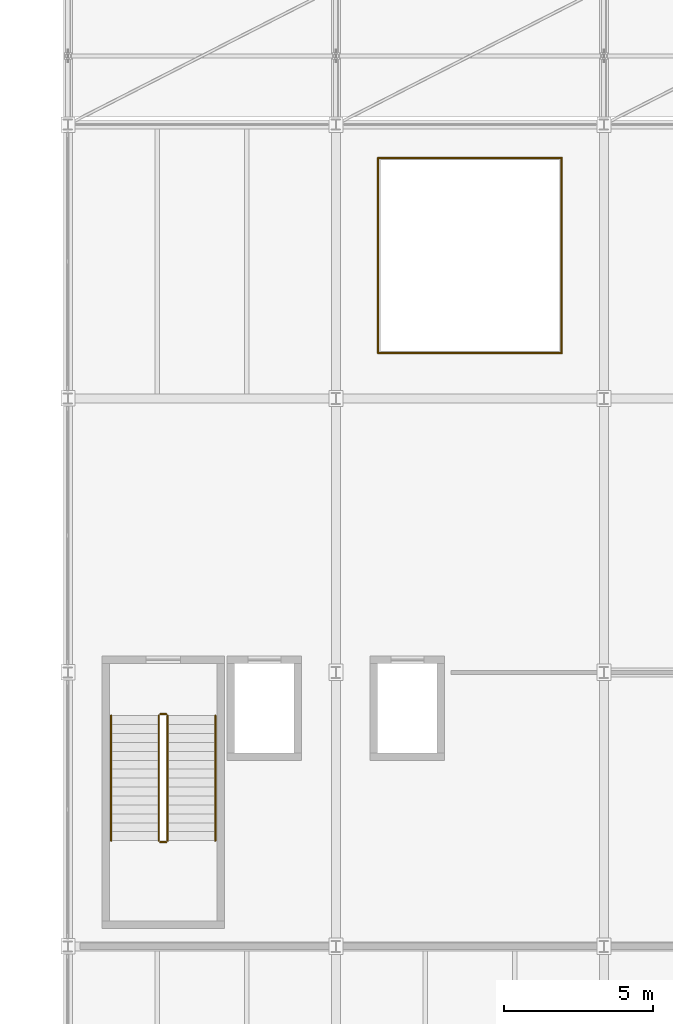
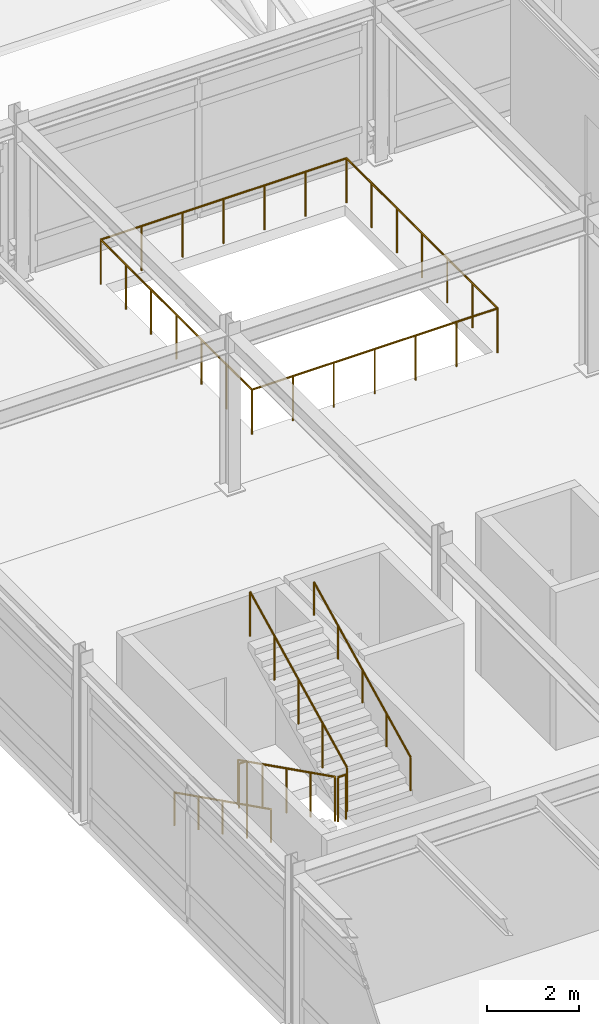
# One storey, part 53 of 55: 10 railings.
"""IFC4 building model written with IfcOpenShell, lengths in metres."""

from ifc_helpers import new_model, si_unit, direction, frame, origin, origin_2d, place, context, subcontext, project, spatial, circle, extrude, material, type_object, element, save


model = new_model("IFC4")

# Units and contexts
model_context = context("Model", 3, precision=1e-05, world=origin(), true_north=direction((0.0, 1.0)))
body_context = subcontext(model_context, "Body", "Model", "MODEL_VIEW")
ifc_project = project(units=[si_unit("LENGTHUNIT", "METRE"), si_unit("AREAUNIT", "SQUARE_METRE"), si_unit("VOLUMEUNIT", "CUBIC_METRE"), si_unit("PLANEANGLEUNIT", "RADIAN"), si_unit("MASSUNIT", "GRAM", prefix="KILO")], contexts=[model_context])

# Site, building, storey
site_placement = place(None, origin())
site = spatial("IfcSite", under=ifc_project, at=site_placement, CompositionType="ELEMENT")
building_placement = place(site_placement, origin())
building = spatial("IfcBuilding", under=site, at=building_placement, Name="Bozkorgan Art Gallery", CompositionType="ELEMENT")
storey_placement = place(building_placement, frame((0.0, 0.0, 15.0)))
storey = spatial("IfcBuildingStorey", under=building, at=storey_placement, Name="L03", CompositionType="ELEMENT", Elevation=15.0)

# Railings
ifc_material = material(Name="Steel S355J2", Category="steel")
railing_type_1 = type_object("IfcRailingType", Name="RAIL-BAL-INT", PredefinedType="BALUSTRADE", material=ifc_material)
railing_1_placement = place(storey_placement, frame((84.419921875, 76.719970703125, 0.0)))
element("IfcRailing", 1, at=railing_1_placement, inside=storey, type_object=railing_type_1, Name="V4 L03 concourse_north_well guard S", PredefinedType="BALUSTRADE", context=body_context, shape_type="SweptSolid", body=[
    extrude(circle(Radius=0.02392578125, at=origin_2d()), frame((0.0, 0.0, 1.17578125), z_axis=(1.0, 0.0, 0.0), x_axis=(0.0, 1.0, 0.0)), (0.0, 0.0, 1.0), 6.16015625),
    extrude(circle(Radius=0.02099609375, at=origin_2d()), origin(), (0.0, 0.0, 1.0), 1.15185546875),
    extrude(circle(Radius=0.02099609375, at=origin_2d()), frame((1.026611328125, 0.0, 0.0)), (0.0, 0.0, 1.0), 1.15185546875),
    extrude(circle(Radius=0.02099609375, at=origin_2d()), frame((2.053466796875, 0.0, 0.0)), (0.0, 0.0, 1.0), 1.15185546875),
    extrude(circle(Radius=0.02099609375, at=origin_2d()), frame((3.080078125, 0.0, 0.0)), (0.0, 0.0, 1.0), 1.15185546875),
    extrude(circle(Radius=0.02099609375, at=origin_2d()), frame((4.106689453125, 0.0, 0.0)), (0.0, 0.0, 1.0), 1.15185546875),
    extrude(circle(Radius=0.02099609375, at=origin_2d()), frame((5.133544921875, 0.0, 0.0)), (0.0, 0.0, 1.0), 1.15185546875),
    extrude(circle(Radius=0.02099609375, at=origin_2d()), frame((6.16015625, 0.0, 0.0)), (0.0, 0.0, 1.0), 1.15185546875),
])
for number, where, name in (
    (2, (84.419921875, 76.719970703125, 0.0), "V4 L03 concourse_north_well guard W"),
    (3, (90.580078125, 76.719970703125, 0.0), "V4 L03 concourse_north_well guard E"),
):
    element("IfcRailing", number, at=place(storey_placement, frame(where)), inside=storey, type_object=railing_type_1, Name=name, PredefinedType="BALUSTRADE", context=body_context, shape_type="SweptSolid", body=[
        extrude(circle(Radius=0.02392578125, at=origin_2d()), frame((0.0, 0.0, 1.17578125), z_axis=(0.0, 1.0, 0.0), x_axis=(-1.0, 0.0, 0.0)), (0.0, 0.0, 1.0), 6.56005859375),
        extrude(circle(Radius=0.02099609375, at=origin_2d()), origin(), (0.0, 0.0, 1.0), 1.15185546875),
        extrude(circle(Radius=0.02099609375, at=origin_2d()), frame((0.0, 1.09326171875, 0.0)), (0.0, 0.0, 1.0), 1.15185546875),
        extrude(circle(Radius=0.02099609375, at=origin_2d()), frame((0.0, 2.186767578125, 0.0)), (0.0, 0.0, 1.0), 1.15185546875),
        extrude(circle(Radius=0.02099609375, at=origin_2d()), frame((0.0, 3.280029296875, 0.0)), (0.0, 0.0, 1.0), 1.15185546875),
        extrude(circle(Radius=0.02099609375, at=origin_2d()), frame((0.0, 4.373291015625, 0.0)), (0.0, 0.0, 1.0), 1.15185546875),
        extrude(circle(Radius=0.02099609375, at=origin_2d()), frame((0.0, 5.466796875, 0.0)), (0.0, 0.0, 1.0), 1.15185546875),
        extrude(circle(Radius=0.02099609375, at=origin_2d()), frame((0.0, 6.56005859375, 0.0)), (0.0, 0.0, 1.0), 1.15185546875),
    ])
railing_2_placement = place(storey_placement, frame((84.419921875, 83.280029296875, 0.0)))
element("IfcRailing", 4, at=railing_2_placement, inside=storey, type_object=railing_type_1, Name="V4 L03 concourse_north_well guard N1", PredefinedType="BALUSTRADE", context=body_context, shape_type="SweptSolid", body=[
    extrude(circle(Radius=0.02392578125, at=origin_2d()), frame((0.0, 0.0, 1.17578125), z_axis=(1.0, 0.0, 0.0), x_axis=(0.0, 1.0, 0.0)), (0.0, 0.0, 1.0), 6.16015625),
    extrude(circle(Radius=0.02099609375, at=origin_2d()), origin(), (0.0, 0.0, 1.0), 1.15185546875),
    extrude(circle(Radius=0.02099609375, at=origin_2d()), frame((1.026611328125, 0.0, 0.0)), (0.0, 0.0, 1.0), 1.15185546875),
    extrude(circle(Radius=0.02099609375, at=origin_2d()), frame((2.053466796875, 0.0, 0.0)), (0.0, 0.0, 1.0), 1.15185546875),
    extrude(circle(Radius=0.02099609375, at=origin_2d()), frame((3.080078125, 0.0, 0.0)), (0.0, 0.0, 1.0), 1.15185546875),
    extrude(circle(Radius=0.02099609375, at=origin_2d()), frame((4.106689453125, 0.0, 0.0)), (0.0, 0.0, 1.0), 1.15185546875),
    extrude(circle(Radius=0.02099609375, at=origin_2d()), frame((5.133544921875, 0.0, 0.0)), (0.0, 0.0, 1.0), 1.15185546875),
    extrude(circle(Radius=0.02099609375, at=origin_2d()), frame((6.16015625, 0.0, 0.0)), (0.0, 0.0, 1.0), 1.15185546875),
])
railing_type_2 = type_object("IfcRailingType", Name="RAIL-GRD-115", PredefinedType="GUARDRAIL", material=ifc_material)
railing_3_placement = place(storey_placement, frame((77.050048828125, 64.550048828125, 0.14990234375)))
element("IfcRailing", 5, at=railing_3_placement, inside=storey, type_object=railing_type_2, Name="L03 ST2 stair guard 1", PredefinedType="GUARDRAIL", context=body_context, shape_type="SweptSolid", body=[
    extrude(circle(Radius=0.02392578125, at=origin_2d()), frame((0.0, 0.0, 1.17578125), z_axis=(0.0, -0.894416792377, 0.447234392142), x_axis=(1.0, 0.0, 0.0)), (0.0, 0.0, 1.0), 4.69580078125),
    extrude(circle(Radius=0.02099609375, at=origin_2d()), origin(), (0.0, 0.0, 1.0), 1.15185546875),
    extrude(circle(Radius=0.02099609375, at=origin_2d()), frame((0.0, -1.050048828125, 0.52490234375)), (0.0, 0.0, 1.0), 1.15185546875),
    extrude(circle(Radius=0.02099609375, at=origin_2d()), frame((0.0, -2.10009765625, 1.050048828125)), (0.0, 0.0, 1.0), 1.15185546875),
    extrude(circle(Radius=0.02099609375, at=origin_2d()), frame((0.0, -3.14990234375, 1.5751953125)), (0.0, 0.0, 1.0), 1.15185546875),
    extrude(circle(Radius=0.02099609375, at=origin_2d()), frame((0.0, -4.199951171875, 2.10009765625)), (0.0, 0.0, 1.0), 1.15185546875),
])
railing_4_placement = place(storey_placement, frame((77.10009765625, 60.300048828125, 2.25)))
element("IfcRailing", 6, at=railing_4_placement, inside=storey, type_object=railing_type_2, Name="L03 ST2 stair guard 2", PredefinedType="GUARDRAIL", context=body_context, shape_type="SweptSolid", body=[
    extrude(circle(Radius=0.02392578125, at=origin_2d()), frame((0.0, 0.0, 1.17578125), z_axis=(1.0, 0.0, 0.0), x_axis=(0.0, 1.0, 0.0)), (0.0, 0.0, 1.0), 0.199951171875),
    extrude(circle(Radius=0.02099609375, at=origin_2d()), origin(), (0.0, 0.0, 1.0), 1.15185546875),
    extrude(circle(Radius=0.02099609375, at=origin_2d()), frame((0.199951171875, 0.0, 0.0)), (0.0, 0.0, 1.0), 1.15185546875),
])
railing_5_placement = place(storey_placement, frame((77.35009765625, 60.35009765625, 2.39990234375)))
element("IfcRailing", 7, at=railing_5_placement, inside=storey, type_object=railing_type_2, Name="L03 ST2 stair guard 3", PredefinedType="GUARDRAIL", context=body_context, shape_type="SweptSolid", body=[
    extrude(circle(Radius=0.02392578125, at=origin_2d()), frame((0.0, 0.0, 1.17578125), z_axis=(0.0, 0.894416792377, 0.447234392142), x_axis=(-1.0, 0.0, 0.0)), (0.0, 0.0, 1.0), 4.69580078125),
    extrude(circle(Radius=0.02099609375, at=origin_2d()), origin(), (0.0, 0.0, 1.0), 1.15185546875),
    extrude(circle(Radius=0.02099609375, at=origin_2d()), frame((0.0, 1.050048828125, 0.52490234375)), (0.0, 0.0, 1.0), 1.15185546875),
    extrude(circle(Radius=0.02099609375, at=origin_2d()), frame((0.0, 2.10009765625, 1.050048828125)), (0.0, 0.0, 1.0), 1.15185546875),
    extrude(circle(Radius=0.02099609375, at=origin_2d()), frame((0.0, 3.14990234375, 1.5751953125)), (0.0, 0.0, 1.0), 1.15185546875),
    extrude(circle(Radius=0.02099609375, at=origin_2d()), frame((0.0, 4.199951171875, 2.10009765625)), (0.0, 0.0, 1.0), 1.15185546875),
])
railing_6_placement = place(storey_placement, frame((77.10009765625, 64.60009765625, 0.0)))
element("IfcRailing", 8, at=railing_6_placement, inside=storey, type_object=railing_type_2, Name="L03 ST2 stair guard 4", PredefinedType="GUARDRAIL", context=body_context, shape_type="SweptSolid", body=[
    extrude(circle(Radius=0.02392578125, at=origin_2d()), frame((0.0, 0.0, 1.17578125), z_axis=(1.0, 0.0, 0.0), x_axis=(0.0, 1.0, 0.0)), (0.0, 0.0, 1.0), 0.199951171875),
    extrude(circle(Radius=0.02099609375, at=origin_2d()), origin(), (0.0, 0.0, 1.0), 1.15185546875),
    extrude(circle(Radius=0.02099609375, at=origin_2d()), frame((0.199951171875, 0.0, 0.0)), (0.0, 0.0, 1.0), 1.15185546875),
])
railing_type_3 = type_object("IfcRailingType", Name="RAIL-HND-092", PredefinedType="HANDRAIL", material=ifc_material)
railing_7_placement = place(storey_placement, frame((75.449951171875, 64.550048828125, 0.14990234375)))
element("IfcRailing", 9, at=railing_7_placement, inside=storey, type_object=railing_type_3, Name="L03 ST2 stair handrail 1", PredefinedType="HANDRAIL", context=body_context, shape_type="SweptSolid", body=[
    extrude(circle(Radius=0.02392578125, at=origin_2d()), frame((0.0, 0.0, 0.8759765625), z_axis=(0.0, -0.894416792377, 0.447234392142), x_axis=(1.0, 0.0, 0.0)), (0.0, 0.0, 1.0), 4.69580078125),
    extrude(circle(Radius=0.02099609375, at=origin_2d()), origin(), (0.0, 0.0, 1.0), 0.851806640625),
    extrude(circle(Radius=0.02099609375, at=origin_2d()), frame((0.0, -1.050048828125, 0.52490234375)), (0.0, 0.0, 1.0), 0.851806640625),
    extrude(circle(Radius=0.02099609375, at=origin_2d()), frame((0.0, -2.10009765625, 1.050048828125)), (0.0, 0.0, 1.0), 0.851806640625),
    extrude(circle(Radius=0.02099609375, at=origin_2d()), frame((0.0, -3.14990234375, 1.5751953125)), (0.0, 0.0, 1.0), 0.851806640625),
    extrude(circle(Radius=0.02099609375, at=origin_2d()), frame((0.0, -4.199951171875, 2.10009765625)), (0.0, 0.0, 1.0), 0.851806640625),
])
railing_8_placement = place(storey_placement, frame((78.949951171875, 60.35009765625, 2.39990234375)))
element("IfcRailing", 10, at=railing_8_placement, inside=storey, type_object=railing_type_3, Name="L03 ST2 stair handrail 2", PredefinedType="HANDRAIL", context=body_context, shape_type="SweptSolid", body=[
    extrude(circle(Radius=0.02392578125, at=origin_2d()), frame((0.0, 0.0, 0.8759765625), z_axis=(0.0, 0.894416792377, 0.447234392142), x_axis=(-1.0, 0.0, 0.0)), (0.0, 0.0, 1.0), 4.69580078125),
    extrude(circle(Radius=0.02099609375, at=origin_2d()), origin(), (0.0, 0.0, 1.0), 0.851806640625),
    extrude(circle(Radius=0.02099609375, at=origin_2d()), frame((0.0, 1.050048828125, 0.52490234375)), (0.0, 0.0, 1.0), 0.851806640625),
    extrude(circle(Radius=0.02099609375, at=origin_2d()), frame((0.0, 2.10009765625, 1.050048828125)), (0.0, 0.0, 1.0), 0.851806640625),
    extrude(circle(Radius=0.02099609375, at=origin_2d()), frame((0.0, 3.14990234375, 1.5751953125)), (0.0, 0.0, 1.0), 0.851806640625),
    extrude(circle(Radius=0.02099609375, at=origin_2d()), frame((0.0, 4.199951171875, 2.10009765625)), (0.0, 0.0, 1.0), 0.851806640625),
])

save(model, "model.ifc")
